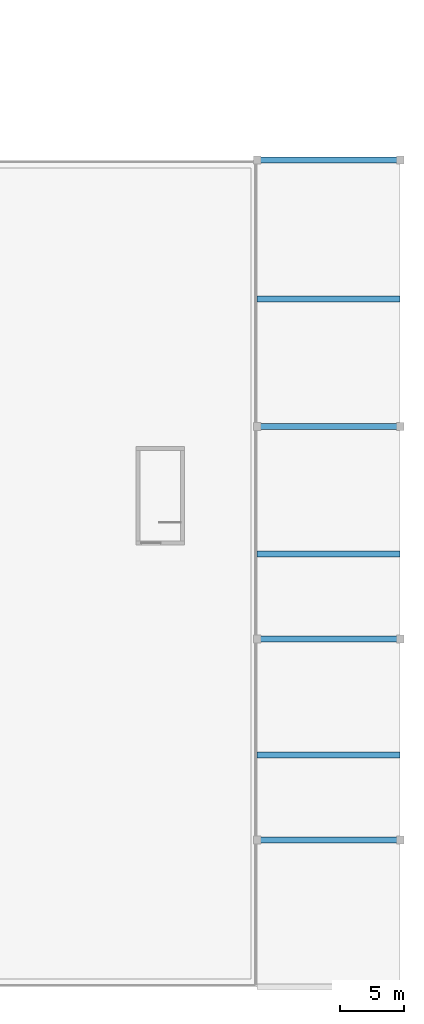
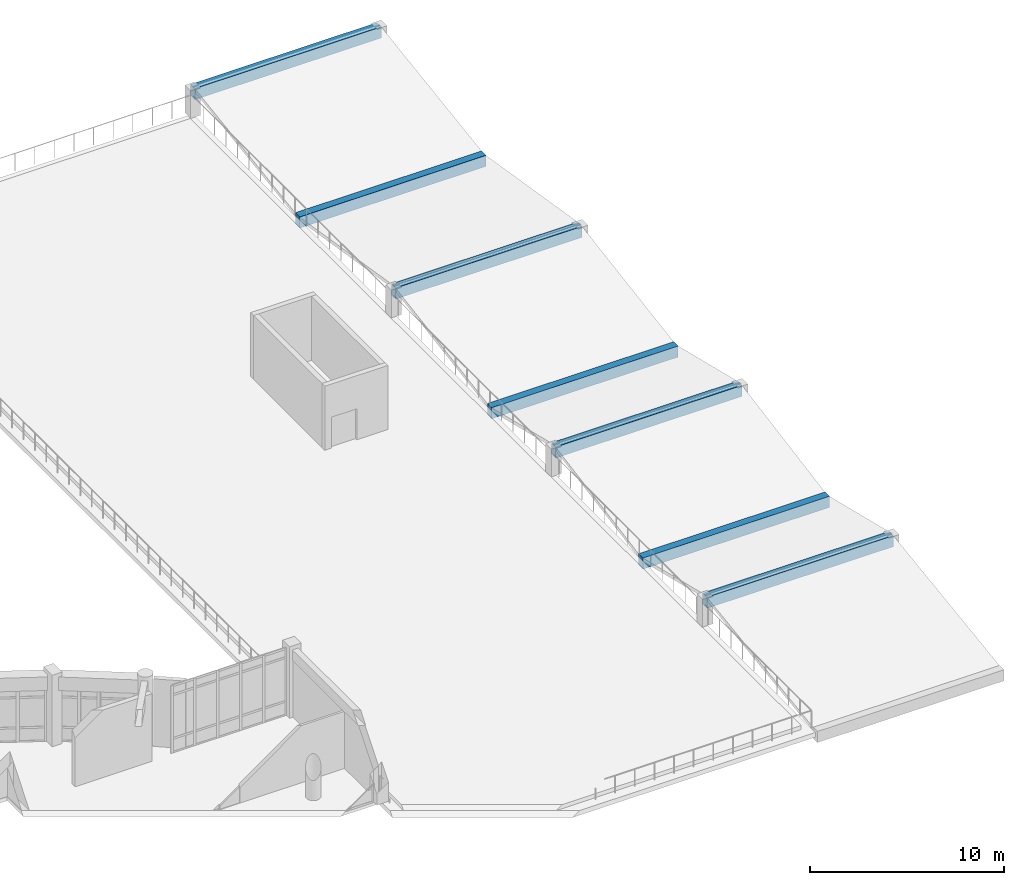
# One storey, part 27 of 54: 7 beams.
"""IFC4 building model written with IfcOpenShell, lengths in metres."""

from ifc_helpers import new_model, si_unit, direction, frame, origin, origin_2d, place, context, subcontext, project, spatial, rectangle, extrude, material, material_profile, profile_set, type_object, element, save


model = new_model("IFC4")

# Units and contexts
model_context = context("Model", 3, precision=1e-05, world=origin(), true_north=direction((0.0, 1.0)))
body_context = subcontext(model_context, "Body", "Model", "MODEL_VIEW")
ifc_project = project(units=[si_unit("LENGTHUNIT", "METRE"), si_unit("AREAUNIT", "SQUARE_METRE"), si_unit("VOLUMEUNIT", "CUBIC_METRE"), si_unit("PLANEANGLEUNIT", "RADIAN"), si_unit("MASSUNIT", "GRAM", prefix="KILO")], contexts=[model_context])

# Site, building, storey
site_placement = place(None, origin())
site = spatial("IfcSite", under=ifc_project, at=site_placement, CompositionType="ELEMENT")
building_placement = place(site_placement, origin())
building = spatial("IfcBuilding", under=site, at=building_placement, Name="Miralva Faculty of Natural Sciences", CompositionType="ELEMENT")
storey_placement = place(building_placement, frame((0.0, 0.0, 19.5)))
storey = spatial("IfcBuildingStorey", under=building, at=storey_placement, Name="L04", CompositionType="ELEMENT", Elevation=19.5)

# Beams
ifc_material = material(Name="Concrete C40/50", Category="concrete")
ifc_material_profile = material_profile(ifc_material, rectangle(XDim=0.449951171875, YDim=0.699951171875, at=origin_2d()), Name="RC 450x700")
ifc_profile_set = profile_set([ifc_material_profile], Name="Concrete C40/50")
beam_type = type_object("IfcBeamType", Name="BM-B06", PredefinedType="BEAM", material=ifc_profile_set)
for number, where, z_axis, x_axis, name in (
    (1, (156.300048828125, 23.39990234375, 1.3798828125), (1.0, 0.0, 0.0), (0.0, 1.0, 0.0), "Folded roof ridge beam 2"),
    (2, (156.300048828125, 30.0, -0.14990234375), (1.0, 0.0, 0.0), (0.0, 1.0, 0.0), "Folded roof valley beam 3"),
    (3, (156.300048828125, 39.0, 1.3798828125), (1.0, 0.0, 0.0), (0.0, 1.0, 0.0), "Folded roof ridge beam 4"),
    (4, (156.300048828125, 45.60009765625, -0.14990234375), (1.0, 0.0, 0.0), (0.0, 1.0, 0.0), "Folded roof valley beam 5"),
    (5, (156.300048828125, 55.5, 1.3798828125), (1.0, 0.0, 0.0), (0.0, 1.0, 0.0), "Folded roof ridge beam 6"),
    (6, (156.300048828125, 65.39990234375, -0.14990234375), (1.0, 0.0, 0.0), (0.0, 1.0, 0.0), "Folded roof valley beam 7"),
    (7, (156.300048828125, 76.199951171875, 1.3798828125), (1.0, 0.0, 0.0), (0.0, 1.0, 0.0), "Folded roof ridge beam 8"),
):
    element("IfcBeam", number, at=place(storey_placement, frame(where, z_axis=z_axis, x_axis=x_axis)), inside=storey, type_object=beam_type, Name=name, PredefinedType="BEAM", context=body_context, shape_type="SweptSolid", body=[
        extrude(rectangle(XDim=0.449951171875, YDim=0.699951171875, at=origin_2d()), origin(), (0.0, 0.0, 1.0), 11.099853515625),
    ])

save(model, "model.ifc")
